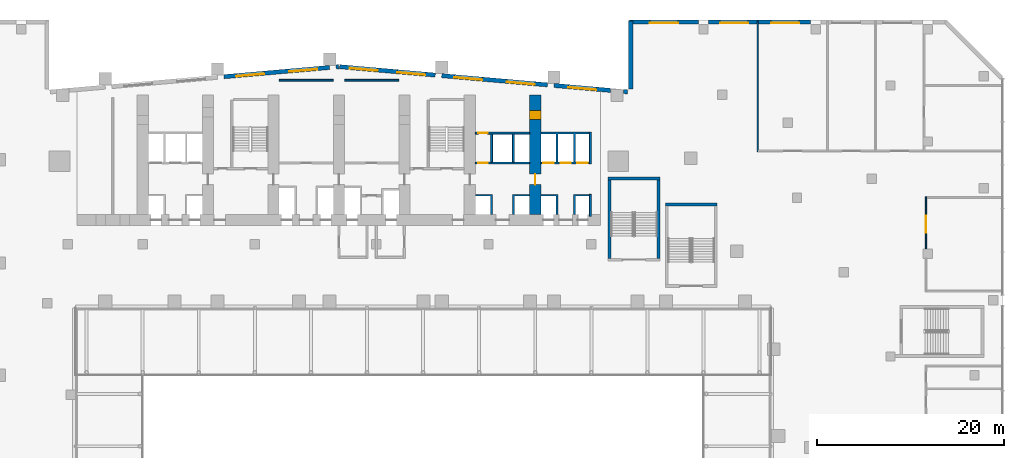
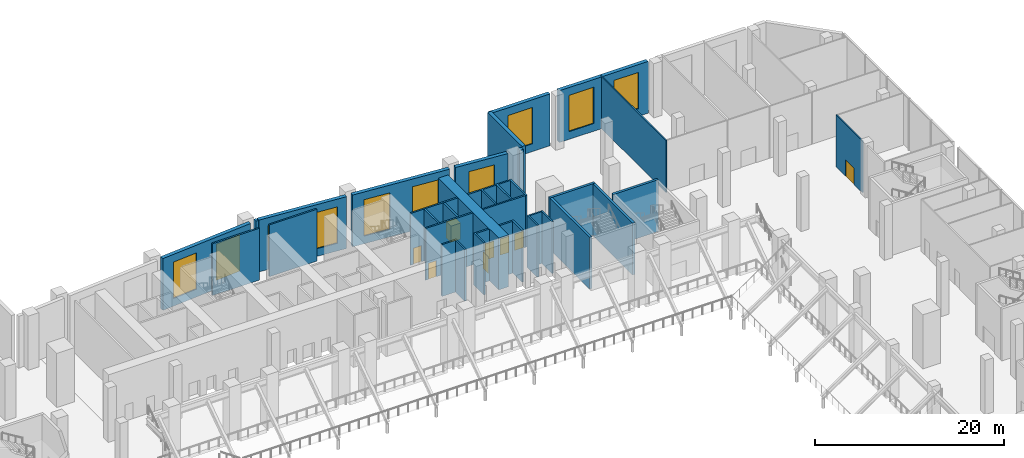
# One storey, part 26 of 41: 30 walls, 10 windows, 8 doors, 18 openings.
"""IFC4 building model written with IfcOpenShell, lengths in metres."""

from ifc_helpers import new_model, si_unit, direction, frame, frame_2d, origin, place, context, subcontext, project, spatial, polyline, rectangle, outline, extrude, material, layer, layer_set, type_object, element, fill, save


model = new_model("IFC4")

# Units and contexts
model_context = context("Model", 3, precision=1e-05, world=origin(), true_north=direction((0.0, 1.0)))
body_context = subcontext(model_context, "Body", "Model", "MODEL_VIEW")
ifc_project = project(units=[si_unit("LENGTHUNIT", "METRE"), si_unit("AREAUNIT", "SQUARE_METRE"), si_unit("VOLUMEUNIT", "CUBIC_METRE"), si_unit("PLANEANGLEUNIT", "RADIAN"), si_unit("MASSUNIT", "GRAM", prefix="KILO")], contexts=[model_context])

# Site, building, storey
site_placement = place(None, origin())
site = spatial("IfcSite", under=ifc_project, at=site_placement, CompositionType="ELEMENT")
building_placement = place(site_placement, origin())
building = spatial("IfcBuilding", under=site, at=building_placement, Name="Wharfspan Tower", CompositionType="ELEMENT")
storey_placement = place(building_placement, frame((0.0, 0.0, 8.0)))
storey = spatial("IfcBuildingStorey", under=building, at=storey_placement, Name="L01", CompositionType="ELEMENT", Elevation=8.0)

# Walls
ifc_material_1 = material(Name="Calcium silicate masonry", Category="masonry")
ifc_layer_1 = layer(ifc_material_1, 0.199951)
ifc_layer_set_1 = layer_set([ifc_layer_1], Name="Calcium silicate masonry")
wall_type_1 = type_object("IfcWallType", Name="Core room wall 200", PredefinedType="PARTITIONING", material=ifc_layer_set_1)
for number, where, z_axis, x_axis, name in (
    (1, (30.600098, 49.55249, 0.0), (0.0, 0.0, 1.0), (1.0, 0.0, 0.0), "sw:L01:RS3"),
    (2, (37.600098, 49.55249, 0.0), (0.0, 0.0, 1.0), (1.0, 0.0, 0.0), "sw:L01:RS4"),
):
    element("IfcWall", number, at=place(storey_placement, frame(where, z_axis=z_axis, x_axis=x_axis)), inside=storey, type_object=wall_type_1, Name=name, PredefinedType="PARTITIONING", context=body_context, shape_type="SweptSolid", body=[
        extrude(rectangle(XDim=5.799805, YDim=0.199951, at=frame_2d((2.899902, 0.0))), origin(), (0.0, 0.0, 1.0), 6.699951),
    ])

# Wall, openings, doors
ifc_material_2 = material(Name="Concrete C70/85", Category="concrete")
ifc_layer_2 = layer(ifc_material_2, 1.199951)
ifc_layer_set_2 = layer_set([ifc_layer_2], Name="Concrete C70/85")
wall_type_2 = type_object("IfcWallType", Name="Core wall fallback 1.2", PredefinedType="SHEAR", material=ifc_layer_set_2)
wall_1_placement = place(storey_placement, frame((58.0, 35.199951, 0.0), z_axis=(0.0, 0.0, 1.0), x_axis=(0.0, 1.0, 0.0)))
wall_1 = element("IfcWall", 3, at=wall_1_placement, inside=storey, type_object=wall_type_2, Name="cw:L01:X7", PredefinedType="SHEAR", context=body_context, shape_type="SweptSolid", body=[
    extrude(rectangle(XDim=12.800049, YDim=1.199951, at=frame_2d((6.399902, 0.0))), origin(), (0.0, 0.0, 1.0), 6.699951),
])
opening_1_placement = place(wall_1_placement, frame((10.133789, 0.0, 0.0)))
opening_1 = element("IfcOpeningElement", 4, at=opening_1_placement, cuts=wall_1, Name="Opening CD01.7X", PredefinedType="OPENING", context=body_context, shape_type="SweptSolid", body=[
    extrude(rectangle(XDim=1.0, YDim=2.100098, at=frame_2d((0.5, 1.050049))), frame((0.0, 0.609863, 0.0), z_axis=(0.0, -1.0, 0.0), x_axis=(1.0, 0.0, 0.0)), (0.0, 0.0, 1.0), 1.219971),
])
opening_2_placement = place(wall_1_placement, frame((3.199951, 0.0, 0.0)))
opening_2 = element("IfcOpeningElement", 5, at=opening_2_placement, cuts=wall_1, Name="Opening CC01.7", PredefinedType="OPENING", context=body_context, shape_type="SweptSolid", body=[
    extrude(rectangle(XDim=1.100098, YDim=2.100098, at=frame_2d((0.550049, 1.050049))), frame((0.0, 0.609863, 0.0), z_axis=(0.0, -1.0, 0.0), x_axis=(1.0, 0.0, 0.0)), (0.0, 0.0, 1.0), 1.219971),
])
ifc_material_3 = material(Name="Steel door leaf", Category="steel")
door_type_1 = type_object("IfcDoorType", Name="Core corridor door 1100x2100", OperationType="SINGLE_SWING_LEFT", PredefinedType="DOOR", material=ifc_material_3)
door_1_placement = place(opening_2_placement, origin())
door_1 = element("IfcDoor", 6, at=door_1_placement, inside=storey, type_object=door_type_1, Name="xd:L01:7", OperationType="SINGLE_SWING_LEFT", OverallHeight=2.100098, OverallWidth=1.100098, PredefinedType="DOOR", context=body_context, shape_type="SweptSolid", body=[
    extrude(rectangle(XDim=1.100098, YDim=2.100098, at=frame_2d((0.550049, 1.050049))), frame((0.0, 0.024902, 0.0), z_axis=(0.0, -1.0, 0.0), x_axis=(1.0, 0.0, 0.0)), (0.0, 0.0, 1.0), 0.050049),
])
fill(opening_2, door_1)
door_type_2 = type_object("IfcDoorType", Name="Core room door 1000x2100", OperationType="SINGLE_SWING_LEFT", PredefinedType="DOOR", material=ifc_material_3)
door_2_placement = place(opening_1_placement, origin())
door_2 = element("IfcDoor", 7, at=door_2_placement, inside=storey, type_object=door_type_2, Name="d:L01:7:sx", OperationType="SINGLE_SWING_LEFT", OverallHeight=2.100098, OverallWidth=1.0, PredefinedType="DOOR", context=body_context, shape_type="SweptSolid", body=[
    extrude(rectangle(XDim=1.0, YDim=2.100098, at=frame_2d((0.5, 1.050049))), frame((0.0, 0.599609, 0.0), z_axis=(0.0, -1.0, 0.0), x_axis=(1.0, 0.0, 0.0)), (0.0, 0.0, 1.0), 1.199463),
])
fill(opening_1, door_2)

# Wall, opening, door
ifc_material_4 = material(Name="Concrete C30/37", Category="concrete")
ifc_layer_3 = layer(ifc_material_4, 0.199951)
ifc_layer_set_3 = layer_set([ifc_layer_3], Name="Concrete C30/37")
wall_type_3 = type_object("IfcWallType", Name="Lift shaft wall 200", PredefinedType="PARTITIONING", material=ifc_layer_set_3)
wall_2_placement = place(storey_placement, frame((51.600098, 40.699951, 0.0), z_axis=(0.0, 0.0, 1.0), x_axis=(1.0, 0.0, 0.0)))
wall_2 = element("IfcWall", 8, at=wall_2_placement, inside=storey, type_object=wall_type_3, Name="sw:L01:RF6", PredefinedType="PARTITIONING", context=body_context, shape_type="SweptSolid", body=[
    extrude(rectangle(XDim=5.799805, YDim=0.199951, at=frame_2d((2.899902, 0.0))), origin(), (0.0, 0.0, 1.0), 6.699951),
])
opening_3_placement = place(wall_2_placement, frame((0.31665, 0.0, 0.0)))
opening_3 = element("IfcOpeningElement", 9, at=opening_3_placement, cuts=wall_2, Name="Opening CD01.6R1", PredefinedType="OPENING", context=body_context, shape_type="SweptSolid", body=[
    extrude(rectangle(XDim=1.0, YDim=2.100098, at=frame_2d((0.5, 1.050049))), frame((0.0, 0.109863, 0.0), z_axis=(0.0, -1.0, 0.0), x_axis=(1.0, 0.0, 0.0)), (0.0, 0.0, 1.0), 0.219971),
])
door_3_placement = place(opening_3_placement, origin())
door_3 = element("IfcDoor", 10, at=door_3_placement, inside=storey, type_object=door_type_2, Name="d:L01:6:rd6.1", OperationType="SINGLE_SWING_RIGHT", OverallHeight=2.100098, OverallWidth=1.0, PredefinedType="DOOR", context=body_context, shape_type="SweptSolid", body=[
    extrude(rectangle(XDim=1.0, YDim=2.100098, at=frame_2d((0.5, 1.050049))), frame((0.0, 0.024902, 0.0), z_axis=(0.0, -1.0, 0.0), x_axis=(1.0, 0.0, 0.0)), (0.0, 0.0, 1.0), 0.050049),
])
fill(opening_3, door_3)

wall_3_placement = place(storey_placement, frame((51.600098, 43.899902, 0.0), z_axis=(0.0, 0.0, 1.0), x_axis=(1.0, 0.0, 0.0)))
wall_3 = element("IfcWall", 11, at=wall_3_placement, inside=storey, type_object=wall_type_3, Name="sw:L01:RR6", PredefinedType="PARTITIONING", context=body_context, shape_type="SweptSolid", body=[
    extrude(rectangle(XDim=5.799805, YDim=0.199951, at=frame_2d((2.899902, 0.0))), origin(), (0.0, 0.0, 1.0), 6.699951),
])
opening_4_placement = place(wall_3_placement, frame((0.31665, 0.0, 0.0)))
opening_4 = element("IfcOpeningElement", 12, at=opening_4_placement, cuts=wall_3, Name="Opening CD01.6S1", PredefinedType="OPENING", context=body_context, shape_type="SweptSolid", body=[
    extrude(rectangle(XDim=1.0, YDim=2.100098, at=frame_2d((0.5, 1.050049))), frame((0.0, 0.109863, 0.0), z_axis=(0.0, -1.0, 0.0), x_axis=(1.0, 0.0, 0.0)), (0.0, 0.0, 1.0), 0.219971),
])
door_4_placement = place(opening_4_placement, origin())
door_4 = element("IfcDoor", 13, at=door_4_placement, inside=storey, type_object=door_type_2, Name="d:L01:6:rs6.1", OperationType="SINGLE_SWING_LEFT", OverallHeight=2.100098, OverallWidth=1.0, PredefinedType="DOOR", context=body_context, shape_type="SweptSolid", body=[
    extrude(rectangle(XDim=1.0, YDim=2.100098, at=frame_2d((0.5, 1.050049))), frame((0.0, 0.024902, 0.0), z_axis=(0.0, -1.0, 0.0), x_axis=(1.0, 0.0, 0.0)), (0.0, 0.0, 1.0), 0.050049),
])
fill(opening_4, door_4)

# Walls
wall_4_placement = place(storey_placement, frame((0.0, 0.0, -0.000244)))
element("IfcWall", 14, at=wall_4_placement, inside=storey, type_object=wall_type_3, Name="sw:L01:FM6.0", PredefinedType="PARTITIONING", context=body_context, shape_type="SweptSolid", body=[
    extrude(outline(polyline([(53.233398, 37.149902), (51.600098, 37.149902), (51.600098, 37.350098), (53.233398, 37.350098), (53.43335, 37.350098), (53.43335, 35.199951), (53.233398, 35.199951), (53.233398, 37.149902)])), origin(), (0.0, 0.0, 1.0), 6.700195),
])
wall_5_placement = place(storey_placement, frame((0.0, 0.0, -0.000244)))
element("IfcWall", 15, at=wall_5_placement, inside=storey, type_object=wall_type_3, Name="sw:L01:FM6.1", PredefinedType="PARTITIONING", context=body_context, shape_type="SweptSolid", body=[
    extrude(outline(polyline([(55.56665, 37.350098), (55.766602, 37.350098), (57.399902, 37.350098), (57.399902, 37.149902), (55.766602, 37.149902), (55.766602, 35.199951), (55.56665, 35.199951), (55.56665, 37.350098)])), origin(), (0.0, 0.0, 1.0), 6.700195),
])
wall_6_placement = place(storey_placement, frame((0.0, 0.0, -0.000244)))
element("IfcWall", 16, at=wall_6_placement, inside=storey, type_object=wall_type_3, Name="sw:L01:RM6.0", PredefinedType="PARTITIONING", context=body_context, shape_type="SweptSolid", body=[
    extrude(outline(polyline([(53.233398, 40.800049), (53.233398, 43.800049), (53.43335, 43.800049), (53.43335, 40.800049), (53.233398, 40.800049)])), origin(), (0.0, 0.0, 1.0), 6.700195),
])
wall_7_placement = place(storey_placement, frame((0.0, 0.0, -0.000244)))
element("IfcWall", 17, at=wall_7_placement, inside=storey, type_object=wall_type_3, Name="sw:L01:RM6.1", PredefinedType="PARTITIONING", context=body_context, shape_type="SweptSolid", body=[
    extrude(outline(polyline([(55.56665, 40.800049), (55.56665, 43.800049), (55.766602, 43.800049), (55.766602, 40.800049), (55.56665, 40.800049)])), origin(), (0.0, 0.0, 1.0), 6.700195),
])

# Wall, openings, doors
wall_8_placement = place(storey_placement, frame((58.600098, 40.699951, 0.0), z_axis=(0.0, 0.0, 1.0), x_axis=(1.0, 0.0, 0.0)))
wall_8 = element("IfcWall", 18, at=wall_8_placement, inside=storey, type_object=wall_type_3, Name="sw:L01:RF7", PredefinedType="PARTITIONING", context=body_context, shape_type="SweptSolid", body=[
    extrude(rectangle(XDim=5.199951, YDim=0.199951, at=frame_2d((2.600098, 0.0))), origin(), (0.0, 0.0, 1.0), 6.699951),
])
opening_5_placement = place(wall_8_placement, frame((0.266602, 0.0, 0.0)))
opening_5 = element("IfcOpeningElement", 19, at=opening_5_placement, cuts=wall_8, Name="Opening LD.LA8.L01", PredefinedType="OPENING", context=body_context, shape_type="SweptSolid", body=[
    extrude(rectangle(XDim=1.100098, YDim=2.100098, at=frame_2d((0.550049, 1.050049))), frame((0.0, 0.109863, 0.0), z_axis=(0.0, -1.0, 0.0), x_axis=(1.0, 0.0, 0.0)), (0.0, 0.0, 1.0), 0.219971),
])
opening_6_placement = place(wall_8_placement, frame((2.116699, 0.0, 0.0)))
opening_6 = element("IfcOpeningElement", 20, at=opening_6_placement, cuts=wall_8, Name="Opening LD.LA9.L01", PredefinedType="OPENING", context=body_context, shape_type="SweptSolid", body=[
    extrude(rectangle(XDim=1.100098, YDim=2.100098, at=frame_2d((0.550049, 1.050049))), frame((0.0, 0.109863, 0.0), z_axis=(0.0, -1.0, 0.0), x_axis=(1.0, 0.0, 0.0)), (0.0, 0.0, 1.0), 0.219971),
])
opening_7_placement = place(wall_8_placement, frame((3.899902, 0.0, 0.0)))
opening_7 = element("IfcOpeningElement", 21, at=opening_7_placement, cuts=wall_8, Name="Opening LD.LA10.L01", PredefinedType="OPENING", context=body_context, shape_type="SweptSolid", body=[
    extrude(rectangle(XDim=1.100098, YDim=2.100098, at=frame_2d((0.550049, 1.050049))), frame((0.0, 0.109863, 0.0), z_axis=(0.0, -1.0, 0.0), x_axis=(1.0, 0.0, 0.0)), (0.0, 0.0, 1.0), 0.219971),
])
ifc_material_5 = material(Name="Stainless steel", Category="steel")
door_type_3 = type_object("IfcDoorType", Name="Lift landing door 1100x2100", OperationType="DOUBLE_DOOR_SLIDING", PredefinedType="DOOR", material=ifc_material_5)
door_5_placement = place(opening_5_placement, origin())
door_5 = element("IfcDoor", 22, at=door_5_placement, inside=storey, type_object=door_type_3, Name="Landing door LA8 L01", OperationType="DOUBLE_DOOR_SLIDING", OverallHeight=2.100098, OverallWidth=1.100098, PredefinedType="DOOR", context=body_context, shape_type="SweptSolid", body=[
    extrude(rectangle(XDim=1.100098, YDim=2.100098, at=frame_2d((0.550049, 1.050049))), frame((0.0, 0.024902, 0.0), z_axis=(0.0, -1.0, 0.0), x_axis=(1.0, 0.0, 0.0)), (0.0, 0.0, 1.0), 0.050049),
])
fill(opening_5, door_5)
door_6_placement = place(opening_6_placement, origin())
door_6 = element("IfcDoor", 23, at=door_6_placement, inside=storey, type_object=door_type_3, Name="Landing door LA9 L01", OperationType="DOUBLE_DOOR_SLIDING", OverallHeight=2.100098, OverallWidth=1.100098, PredefinedType="DOOR", context=body_context, shape_type="SweptSolid", body=[
    extrude(rectangle(XDim=1.100098, YDim=2.100098, at=frame_2d((0.550049, 1.050049))), frame((0.0, 0.024902, 0.0), z_axis=(0.0, -1.0, 0.0), x_axis=(1.0, 0.0, 0.0)), (0.0, 0.0, 1.0), 0.050049),
])
fill(opening_6, door_6)
door_7_placement = place(opening_7_placement, origin())
door_7 = element("IfcDoor", 24, at=door_7_placement, inside=storey, type_object=door_type_3, Name="Landing door LA10 L01", OperationType="DOUBLE_DOOR_SLIDING", OverallHeight=2.100098, OverallWidth=1.100098, PredefinedType="DOOR", context=body_context, shape_type="SweptSolid", body=[
    extrude(rectangle(XDim=1.100098, YDim=2.100098, at=frame_2d((0.550049, 1.050049))), frame((0.0, 0.024902, 0.0), z_axis=(0.0, -1.0, 0.0), x_axis=(1.0, 0.0, 0.0)), (0.0, 0.0, 1.0), 0.050049),
])
fill(opening_7, door_7)

# Walls
wall_9_placement = place(storey_placement, frame((0.0, 0.0, -0.000244)))
element("IfcWall", 25, at=wall_9_placement, inside=storey, type_object=wall_type_3, Name="sw:L01:FM7.0", PredefinedType="PARTITIONING", context=body_context, shape_type="SweptSolid", body=[
    extrude(outline(polyline([(60.233398, 37.149902), (58.600098, 37.149902), (58.600098, 37.350098), (60.233398, 37.350098), (60.43335, 37.350098), (60.43335, 35.199951), (60.233398, 35.199951), (60.233398, 37.149902)])), origin(), (0.0, 0.0, 1.0), 6.700195),
])
wall_10_placement = place(storey_placement, frame((0.0, 0.0, -0.000244)))
element("IfcWall", 26, at=wall_10_placement, inside=storey, type_object=wall_type_3, Name="sw:L01:FM7.1", PredefinedType="PARTITIONING", context=body_context, shape_type="SweptSolid", body=[
    extrude(outline(polyline([(62.100098, 37.350098), (62.300049, 37.350098), (63.800049, 37.350098), (63.800049, 37.149902), (62.300049, 37.149902), (62.300049, 35.199951), (62.100098, 35.199951), (62.100098, 37.350098)])), origin(), (0.0, 0.0, 1.0), 6.700195),
])
wall_11_placement = place(storey_placement, frame((0.0, 0.0, -0.000244)))
element("IfcWall", 27, at=wall_11_placement, inside=storey, type_object=wall_type_3, Name="sw:L01:RM7.0", PredefinedType="PARTITIONING", context=body_context, shape_type="SweptSolid", body=[
    extrude(outline(polyline([(60.43335, 40.800049), (60.233398, 40.800049), (60.233398, 43.800049), (58.600098, 43.800049), (58.600098, 44.0), (63.800049, 44.0), (63.800049, 43.800049), (62.300049, 43.800049), (62.300049, 40.800049), (62.100098, 40.800049), (62.100098, 43.800049), (60.43335, 43.800049), (60.43335, 40.800049)])), origin(), (0.0, 0.0, 1.0), 6.700195),
])
wall_12_placement = place(storey_placement, frame((63.899902, 35.0, 0.0), z_axis=(0.0, 0.0, 1.0), x_axis=(0.0, 1.0, 0.0)))
element("IfcWall", 28, at=wall_12_placement, inside=storey, type_object=wall_type_3, Name="sw:L01:ECF7", PredefinedType="PARTITIONING", context=body_context, shape_type="SweptSolid", body=[
    extrude(rectangle(XDim=2.350098, YDim=0.199951, at=frame_2d((1.175049, 0.0))), origin(), (0.0, 0.0, 1.0), 6.699951),
])
wall_13_placement = place(storey_placement, frame((63.899902, 40.600098, 0.0), z_axis=(0.0, 0.0, 1.0), x_axis=(0.0, 1.0, 0.0)))
element("IfcWall", 29, at=wall_13_placement, inside=storey, type_object=wall_type_3, Name="sw:L01:ECR7", PredefinedType="PARTITIONING", context=body_context, shape_type="SweptSolid", body=[
    extrude(rectangle(XDim=3.399902, YDim=0.199951, at=frame_2d((1.699951, 0.0))), origin(), (0.0, 0.0, 1.0), 6.699951),
])

# Wall, opening, door
ifc_layer_4 = layer(ifc_material_1, 0.149902)
ifc_layer_set_4 = layer_set([ifc_layer_4], Name="Calcium silicate masonry")
wall_type_4 = type_object("IfcWallType", Name="Podium room wall 150", PredefinedType="PARTITIONING", material=ifc_layer_set_4)
wall_14_placement = place(storey_placement, frame((99.800049, 31.51001, 0.0), z_axis=(0.0, 0.0, 1.0), x_axis=(0.0, 1.0, 0.0)))
wall_14 = element("IfcWall", 30, at=wall_14_placement, inside=storey, type_object=wall_type_4, Name="iw:L01:22", PredefinedType="PARTITIONING", context=body_context, shape_type="SweptSolid", body=[
    extrude(rectangle(XDim=5.564941, YDim=0.149902, at=frame_2d((2.782471, 0.0))), origin(), (0.0, 0.0, 1.0), 6.699951),
])
opening_8_placement = place(wall_14_placement, frame((1.745117, 0.0, 0.0)))
opening_8 = element("IfcOpeningElement", 31, at=opening_8_placement, cuts=wall_14, Name="Opening PD01.19", PredefinedType="OPENING", context=body_context, shape_type="SweptSolid", body=[
    extrude(rectangle(XDim=1.800049, YDim=2.100098, at=frame_2d((0.899902, 1.050049))), frame((0.0, 0.084961, 0.0), z_axis=(0.0, -1.0, 0.0), x_axis=(1.0, 0.0, 0.0)), (0.0, 0.0, 1.0), 0.169922),
])
door_type_4 = type_object("IfcDoorType", Name="Podium double door 1800x2100", OperationType="DOUBLE_DOOR_SINGLE_SWING", PredefinedType="DOOR", material=ifc_material_3)
door_8_placement = place(opening_8_placement, origin())
door_8 = element("IfcDoor", 32, at=door_8_placement, inside=storey, type_object=door_type_4, Name="id:L01:19", OperationType="DOUBLE_DOOR_SINGLE_SWING", OverallHeight=2.100098, OverallWidth=1.800049, PredefinedType="DOOR", context=body_context, shape_type="SweptSolid", body=[
    extrude(rectangle(XDim=1.800049, YDim=2.100098, at=frame_2d((0.899902, 1.050049))), frame((0.0, 0.024902, 0.0), z_axis=(0.0, -1.0, 0.0), x_axis=(1.0, 0.0, 0.0)), (0.0, 0.0, 1.0), 0.050049),
])
fill(opening_8, door_8)

# Walls
wall_15_placement = place(storey_placement, frame((81.800049, 41.925049, 0.0), z_axis=(0.0, 0.0, 1.0), x_axis=(0.0, 1.0, 0.0)))
element("IfcWall", 33, at=wall_15_placement, inside=storey, type_object=wall_type_4, Name="iw:L01:48", PredefinedType="PARTITIONING", context=body_context, shape_type="SweptSolid", body=[
    extrude(rectangle(XDim=13.925049, YDim=0.149902, at=frame_2d((6.962402, 0.0))), origin(), (0.0, 0.0, 1.0), 6.699951),
])
ifc_material_6 = material(Name="Concrete C40/50", Category="concrete")
ifc_layer_5 = layer(ifc_material_6, 0.300049)
ifc_layer_set_5 = layer_set([ifc_layer_5], Name="Concrete C40/50")
wall_type_5 = type_object("IfcWallType", Name="Podium stair core wall 300", PredefinedType="SHEAR", material=ifc_layer_set_5)
wall_16_placement = place(storey_placement, frame((65.800049, 39.050049, 0.0), z_axis=(0.0, 0.0, 1.0), x_axis=(1.0, 0.0, 0.0)))
element("IfcWall", 34, at=wall_16_placement, inside=storey, type_object=wall_type_5, Name="iw:L01:PS4N", PredefinedType="SHEAR", context=body_context, shape_type="SweptSolid", body=[
    extrude(rectangle(XDim=5.550049, YDim=0.300049, at=frame_2d((2.774902, 0.0))), origin(), (0.0, 0.0, 1.0), 6.699951),
])
for number, where, z_axis, x_axis, name in (
    (35, (65.949951, 30.5, 0.0), (0.0, 0.0, 1.0), (0.0, 1.0, 0.0), "iw:L01:PS4W"),
    (36, (71.199951, 30.5, 0.0), (0.0, 0.0, 1.0), (0.0, 1.0, 0.0), "iw:L01:PS4E"),
):
    element("IfcWall", number, at=place(storey_placement, frame(where, z_axis=z_axis, x_axis=x_axis)), inside=storey, type_object=wall_type_5, Name=name, PredefinedType="SHEAR", context=body_context, shape_type="SweptSolid", body=[
        extrude(rectangle(XDim=8.399902, YDim=0.300049, at=frame_2d((4.199951, 0.0))), origin(), (0.0, 0.0, 1.0), 6.699951),
    ])
wall_17_placement = place(storey_placement, frame((71.91748, 36.25, 0.0), z_axis=(0.0, 0.0, 1.0), x_axis=(1.0, 0.0, 0.0)))
element("IfcWall", 37, at=wall_17_placement, inside=storey, type_object=wall_type_5, Name="iw:L01:PS5N", PredefinedType="SHEAR", context=body_context, shape_type="SweptSolid", body=[
    extrude(rectangle(XDim=5.550049, YDim=0.300049, at=frame_2d((2.774902, 0.0))), origin(), (0.0, 0.0, 1.0), 6.699951),
])

# Wall, openings, windows
ifc_layer_6 = layer(ifc_material_6, 0.449951)
ifc_layer_set_6 = layer_set([ifc_layer_6], Name="Concrete C40/50")
wall_type_6 = type_object("IfcWallType", Name="WALL BOARD-MARKED CONCRETE 450", PredefinedType="SOLIDWALL", material=ifc_layer_set_6)
wall_18_placement = place(storey_placement, frame((87.449951, 55.774902, 0.0), z_axis=(0.0, 0.0, 1.0), x_axis=(-1.0, 0.0, 0.0)))
wall_18 = element("IfcWall", 38, at=wall_18_placement, inside=storey, type_object=wall_type_6, Name="Podium wall PF5", PredefinedType="SOLIDWALL", context=body_context, shape_type="SweptSolid", body=[
    extrude(rectangle(XDim=10.899902, YDim=0.449951, at=frame_2d((5.449951, 0.0))), origin(), (0.0, 0.0, 1.0), 6.699951),
])
opening_9_placement = place(wall_18_placement, frame((1.225098, 0.0, 1.0)))
opening_9 = element("IfcOpeningElement", 39, at=opening_9_placement, cuts=wall_18, Name="Opening EWN1", PredefinedType="OPENING", context=body_context, shape_type="SweptSolid", body=[
    extrude(rectangle(XDim=3.0, YDim=4.699951, at=frame_2d((1.5, 2.350098))), frame((0.0, 0.234863, 0.0), z_axis=(0.0, -1.0, 0.0), x_axis=(1.0, 0.0, 0.0)), (0.0, 0.0, 1.0), 0.469971),
])
opening_10_placement = place(wall_18_placement, frame((6.675049, 0.0, 1.0)))
opening_10 = element("IfcOpeningElement", 40, at=opening_10_placement, cuts=wall_18, Name="Opening EWN1", PredefinedType="OPENING", context=body_context, shape_type="SweptSolid", body=[
    extrude(rectangle(XDim=3.0, YDim=4.699951, at=frame_2d((1.5, 2.350098))), frame((0.0, 0.234863, 0.0), z_axis=(0.0, -1.0, 0.0), x_axis=(1.0, 0.0, 0.0)), (0.0, 0.0, 1.0), 0.469971),
])
ifc_material_7 = material(Name="Aluminium 6063-T6", Category="aluminium")
window_type = type_object("IfcWindowType", Name="WINDOW 3000x4700", PartitioningType="SINGLE_PANEL", PredefinedType="WINDOW", material=ifc_material_7)
window_1_placement = place(opening_9_placement, origin())
window_1 = element("IfcWindow", 41, at=window_1_placement, inside=storey, type_object=window_type, Name="Podium window", OverallHeight=4.699951, OverallWidth=3.0, PartitioningType="SINGLE_PANEL", PredefinedType="WINDOW", context=body_context, shape_type="SweptSolid", body=[
    extrude(rectangle(XDim=3.0, YDim=4.699951, at=frame_2d((1.5, 2.350098))), frame((0.0, 0.10498, 0.0), z_axis=(0.0, -1.0, 0.0), x_axis=(1.0, 0.0, 0.0)), (0.0, 0.0, 1.0), 0.060059),
])
fill(opening_9, window_1)
window_2_placement = place(opening_10_placement, origin())
window_2 = element("IfcWindow", 42, at=window_2_placement, inside=storey, type_object=window_type, Name="Podium window", OverallHeight=4.699951, OverallWidth=3.0, PartitioningType="SINGLE_PANEL", PredefinedType="WINDOW", context=body_context, shape_type="SweptSolid", body=[
    extrude(rectangle(XDim=3.0, YDim=4.699951, at=frame_2d((1.5, 2.350098))), frame((0.0, 0.10498, 0.0), z_axis=(0.0, -1.0, 0.0), x_axis=(1.0, 0.0, 0.0)), (0.0, 0.0, 1.0), 0.060059),
])
fill(opening_10, window_2)

# Wall, opening, window
wall_19_placement = place(storey_placement, frame((75.449951, 55.774902, 0.0), z_axis=(0.0, 0.0, 1.0), x_axis=(-1.0, 0.0, 0.0)))
wall_19 = element("IfcWall", 43, at=wall_19_placement, inside=storey, type_object=wall_type_6, Name="Podium wall PF5", PredefinedType="SOLIDWALL", context=body_context, shape_type="SweptSolid", body=[
    extrude(rectangle(XDim=7.349854, YDim=0.449951, at=frame_2d((3.674805, 0.0))), origin(), (0.0, 0.0, 1.0), 6.699951),
])
opening_11_placement = place(wall_19_placement, frame((2.175049, 0.0, 1.0)))
opening_11 = element("IfcOpeningElement", 44, at=opening_11_placement, cuts=wall_19, Name="Opening EWN1", PredefinedType="OPENING", context=body_context, shape_type="SweptSolid", body=[
    extrude(rectangle(XDim=3.0, YDim=4.699951, at=frame_2d((1.5, 2.350098))), frame((0.0, 0.234863, 0.0), z_axis=(0.0, -1.0, 0.0), x_axis=(1.0, 0.0, 0.0)), (0.0, 0.0, 1.0), 0.469971),
])
window_3_placement = place(opening_11_placement, origin())
window_3 = element("IfcWindow", 45, at=window_3_placement, inside=storey, type_object=window_type, Name="Podium window", OverallHeight=4.699951, OverallWidth=3.0, PartitioningType="SINGLE_PANEL", PredefinedType="WINDOW", context=body_context, shape_type="SweptSolid", body=[
    extrude(rectangle(XDim=3.0, YDim=4.699951, at=frame_2d((1.5, 2.350098))), frame((0.0, 0.10498, 0.0), z_axis=(0.0, -1.0, 0.0), x_axis=(1.0, 0.0, 0.0)), (0.0, 0.0, 1.0), 0.060059),
])
fill(opening_11, window_3)

# Wall
wall_20_placement = place(storey_placement, frame((68.225098, 55.899902, 0.0), z_axis=(0.0, 0.0, 1.0), x_axis=(0.0, -1.0, 0.0)))
element("IfcWall", 46, at=wall_20_placement, inside=storey, type_object=wall_type_6, Name="Podium wall PF6", PredefinedType="SOLIDWALL", context=body_context, shape_type="SweptSolid", body=[
    extrude(rectangle(XDim=7.274658, YDim=0.449951, at=frame_2d((3.637207, 0.0))), origin(), (0.0, 0.0, 1.0), 6.699951),
])

# Wall, opening, window
wall_21_placement = place(storey_placement, frame((66.05835, 48.468994, 0.0), z_axis=(0.0, 0.0, 1.0), x_axis=(-0.996195, 0.087158, 0.0)))
wall_21 = element("IfcWall", 47, at=wall_21_placement, inside=storey, type_object=wall_type_6, Name="Podium wall PF7", PredefinedType="SOLIDWALL", context=body_context, shape_type="SweptSolid", body=[
    extrude(rectangle(XDim=6.081299, YDim=0.449951, at=frame_2d((3.040527, 0.0))), origin(), (0.0, 0.0, 1.0), 6.699951),
])
opening_12_placement = place(wall_21_placement, frame((1.540527, 0.0, 1.0)))
opening_12 = element("IfcOpeningElement", 48, at=opening_12_placement, cuts=wall_21, Name="Opening EWN1", PredefinedType="OPENING", context=body_context, shape_type="SweptSolid", body=[
    extrude(rectangle(XDim=3.0, YDim=4.699951, at=frame_2d((1.5, 2.350098))), frame((0.0, 0.234863, 0.0), z_axis=(0.0, -1.0, 0.0), x_axis=(1.0, 0.0, 0.0)), (0.0, 0.0, 1.0), 0.469971),
])
window_4_placement = place(opening_12_placement, origin())
window_4 = element("IfcWindow", 49, at=window_4_placement, inside=storey, type_object=window_type, Name="Podium window", OverallHeight=4.699951, OverallWidth=3.0, PartitioningType="SINGLE_PANEL", PredefinedType="WINDOW", context=body_context, shape_type="SweptSolid", body=[
    extrude(rectangle(XDim=3.0, YDim=4.699951, at=frame_2d((1.5, 2.350098))), frame((0.0, 0.10498, 0.0), z_axis=(0.0, -1.0, 0.0), x_axis=(1.0, 0.0, 0.0)), (0.0, 0.0, 1.0), 0.060059),
])
fill(opening_12, window_4)

# Wall, openings, windows
wall_22_placement = place(storey_placement, frame((59.300537, 49.060303, 0.0), z_axis=(0.0, 0.0, 1.0), x_axis=(-0.996195, 0.087145, 0.0)))
wall_22 = element("IfcWall", 50, at=wall_22_placement, inside=storey, type_object=wall_type_6, Name="Podium wall PF7", PredefinedType="SOLIDWALL", context=body_context, shape_type="SweptSolid", body=[
    extrude(rectangle(XDim=11.343506, YDim=0.449951, at=frame_2d((5.671875, 0.0))), origin(), (0.0, 0.0, 1.0), 6.699951),
])
opening_13_placement = place(wall_22_placement, frame((1.335938, 0.0, 1.0)))
opening_13 = element("IfcOpeningElement", 51, at=opening_13_placement, cuts=wall_22, Name="Opening EWN1", PredefinedType="OPENING", context=body_context, shape_type="SweptSolid", body=[
    extrude(rectangle(XDim=3.0, YDim=4.699951, at=frame_2d((1.5, 2.350098))), frame((0.0, 0.234863, 0.0), z_axis=(0.0, -1.0, 0.0), x_axis=(1.0, 0.0, 0.0)), (0.0, 0.0, 1.0), 0.469971),
])
opening_14_placement = place(wall_22_placement, frame((7.007568, 0.0, 1.0)))
opening_14 = element("IfcOpeningElement", 52, at=opening_14_placement, cuts=wall_22, Name="Opening EWN1", PredefinedType="OPENING", context=body_context, shape_type="SweptSolid", body=[
    extrude(rectangle(XDim=3.0, YDim=4.699951, at=frame_2d((1.5, 2.350098))), frame((0.0, 0.234863, 0.0), z_axis=(0.0, -1.0, 0.0), x_axis=(1.0, 0.0, 0.0)), (0.0, 0.0, 1.0), 0.469971),
])
window_5_placement = place(opening_13_placement, origin())
window_5 = element("IfcWindow", 53, at=window_5_placement, inside=storey, type_object=window_type, Name="Podium window", OverallHeight=4.699951, OverallWidth=3.0, PartitioningType="SINGLE_PANEL", PredefinedType="WINDOW", context=body_context, shape_type="SweptSolid", body=[
    extrude(rectangle(XDim=3.0, YDim=4.699951, at=frame_2d((1.5, 2.350098))), frame((0.0, 0.10498, 0.0), z_axis=(0.0, -1.0, 0.0), x_axis=(1.0, 0.0, 0.0)), (0.0, 0.0, 1.0), 0.060059),
])
fill(opening_13, window_5)
window_6_placement = place(opening_14_placement, origin())
window_6 = element("IfcWindow", 54, at=window_6_placement, inside=storey, type_object=window_type, Name="Podium window", OverallHeight=4.699951, OverallWidth=3.0, PartitioningType="SINGLE_PANEL", PredefinedType="WINDOW", context=body_context, shape_type="SweptSolid", body=[
    extrude(rectangle(XDim=3.0, YDim=4.699951, at=frame_2d((1.5, 2.350098))), frame((0.0, 0.10498, 0.0), z_axis=(0.0, -1.0, 0.0), x_axis=(1.0, 0.0, 0.0)), (0.0, 0.0, 1.0), 0.060059),
])
fill(opening_14, window_6)

wall_23_placement = place(storey_placement, frame((47.300537, 50.110107, 0.0), z_axis=(0.0, 0.0, 1.0), x_axis=(-0.996195, 0.087143, 0.0)))
wall_23 = element("IfcWall", 55, at=wall_23_placement, inside=storey, type_object=wall_type_6, Name="Podium wall PF7", PredefinedType="SOLIDWALL", context=body_context, shape_type="SweptSolid", body=[
    extrude(rectangle(XDim=10.259521, YDim=0.449951, at=frame_2d((5.129883, 0.0))), origin(), (0.0, 0.0, 1.0), 6.699951),
])
opening_15_placement = place(wall_23_placement, frame((1.064941, 0.0, 1.0)))
opening_15 = element("IfcOpeningElement", 56, at=opening_15_placement, cuts=wall_23, Name="Opening EWN1", PredefinedType="OPENING", context=body_context, shape_type="SweptSolid", body=[
    extrude(rectangle(XDim=3.0, YDim=4.699951, at=frame_2d((1.5, 2.350098))), frame((0.0, 0.234863, 0.0), z_axis=(0.0, -1.0, 0.0), x_axis=(1.0, 0.0, 0.0)), (0.0, 0.0, 1.0), 0.469971),
])
opening_16_placement = place(wall_23_placement, frame((6.19458, 0.0, 1.0)))
opening_16 = element("IfcOpeningElement", 57, at=opening_16_placement, cuts=wall_23, Name="Opening EWN1", PredefinedType="OPENING", context=body_context, shape_type="SweptSolid", body=[
    extrude(rectangle(XDim=3.0, YDim=4.699951, at=frame_2d((1.5, 2.350098))), frame((0.0, 0.234863, 0.0), z_axis=(0.0, -1.0, 0.0), x_axis=(1.0, 0.0, 0.0)), (0.0, 0.0, 1.0), 0.469971),
])
window_7_placement = place(opening_15_placement, origin())
window_7 = element("IfcWindow", 58, at=window_7_placement, inside=storey, type_object=window_type, Name="Podium window", OverallHeight=4.699951, OverallWidth=3.0, PartitioningType="SINGLE_PANEL", PredefinedType="WINDOW", context=body_context, shape_type="SweptSolid", body=[
    extrude(rectangle(XDim=3.0, YDim=4.699951, at=frame_2d((1.5, 2.350098))), frame((0.0, 0.10498, 0.0), z_axis=(0.0, -1.0, 0.0), x_axis=(1.0, 0.0, 0.0)), (0.0, 0.0, 1.0), 0.060059),
])
fill(opening_15, window_7)
window_8_placement = place(opening_16_placement, origin())
window_8 = element("IfcWindow", 59, at=window_8_placement, inside=storey, type_object=window_type, Name="Podium window", OverallHeight=4.699951, OverallWidth=3.0, PartitioningType="SINGLE_PANEL", PredefinedType="WINDOW", context=body_context, shape_type="SweptSolid", body=[
    extrude(rectangle(XDim=3.0, YDim=4.699951, at=frame_2d((1.5, 2.350098))), frame((0.0, 0.10498, 0.0), z_axis=(0.0, -1.0, 0.0), x_axis=(1.0, 0.0, 0.0)), (0.0, 0.0, 1.0), 0.060059),
])
fill(opening_16, window_8)

# Wall
wall_24_placement = place(storey_placement, frame((67.880859, 48.30957, 0.0), z_axis=(0.0, 0.0, 1.0), x_axis=(-0.99621, 0.086944, 0.0)))
element("IfcWall", 60, at=wall_24_placement, inside=storey, type_object=wall_type_6, Name="Podium wall PF7", PredefinedType="SOLIDWALL", context=body_context, shape_type="SweptSolid", body=[
    extrude(rectangle(XDim=0.435303, YDim=0.449951, at=frame_2d((0.217773, 0.0))), origin(), (0.0, 0.0, 1.0), 6.699951),
])

# Wall, openings, windows
wall_25_placement = place(storey_placement, frame((35.999756, 50.923584, 0.0), z_axis=(0.0, 0.0, 1.0), x_axis=(-0.996195, -0.087145, 0.0)))
wall_25 = element("IfcWall", 61, at=wall_25_placement, inside=storey, type_object=wall_type_6, Name="Podium wall PF8", PredefinedType="SOLIDWALL", context=body_context, shape_type="SweptSolid", body=[
    extrude(rectangle(XDim=11.343506, YDim=0.449951, at=frame_2d((5.671875, 0.0))), origin(), (0.0, 0.0, 1.0), 6.699951),
])
opening_17_placement = place(wall_25_placement, frame((1.335938, 0.0, 1.0)))
opening_17 = element("IfcOpeningElement", 62, at=opening_17_placement, cuts=wall_25, Name="Opening EWN1", PredefinedType="OPENING", context=body_context, shape_type="SweptSolid", body=[
    extrude(rectangle(XDim=3.0, YDim=4.699951, at=frame_2d((1.5, 2.350098))), frame((0.0, 0.234863, 0.0), z_axis=(0.0, -1.0, 0.0), x_axis=(1.0, 0.0, 0.0)), (0.0, 0.0, 1.0), 0.469971),
])
opening_18_placement = place(wall_25_placement, frame((7.007568, 0.0, 1.0)))
opening_18 = element("IfcOpeningElement", 63, at=opening_18_placement, cuts=wall_25, Name="Opening EWN1", PredefinedType="OPENING", context=body_context, shape_type="SweptSolid", body=[
    extrude(rectangle(XDim=3.0, YDim=4.699951, at=frame_2d((1.5, 2.350098))), frame((0.0, 0.234863, 0.0), z_axis=(0.0, -1.0, 0.0), x_axis=(1.0, 0.0, 0.0)), (0.0, 0.0, 1.0), 0.469971),
])
window_9_placement = place(opening_17_placement, origin())
window_9 = element("IfcWindow", 64, at=window_9_placement, inside=storey, type_object=window_type, Name="Podium window", OverallHeight=4.699951, OverallWidth=3.0, PartitioningType="SINGLE_PANEL", PredefinedType="WINDOW", context=body_context, shape_type="SweptSolid", body=[
    extrude(rectangle(XDim=3.0, YDim=4.699951, at=frame_2d((1.5, 2.350098))), frame((0.0, 0.10498, 0.0), z_axis=(0.0, -1.0, 0.0), x_axis=(1.0, 0.0, 0.0)), (0.0, 0.0, 1.0), 0.060059),
])
fill(opening_17, window_9)
window_10_placement = place(opening_18_placement, origin())
window_10 = element("IfcWindow", 65, at=window_10_placement, inside=storey, type_object=window_type, Name="Podium window", OverallHeight=4.699951, OverallWidth=3.0, PartitioningType="SINGLE_PANEL", PredefinedType="WINDOW", context=body_context, shape_type="SweptSolid", body=[
    extrude(rectangle(XDim=3.0, YDim=4.699951, at=frame_2d((1.5, 2.350098))), frame((0.0, 0.10498, 0.0), z_axis=(0.0, -1.0, 0.0), x_axis=(1.0, 0.0, 0.0)), (0.0, 0.0, 1.0), 0.060059),
])
fill(opening_18, window_10)

# Wall
wall_26_placement = place(storey_placement, frame((36.969727, 51.008545, 0.0), z_axis=(0.0, 0.0, 1.0), x_axis=(-0.996186, -0.08729, 0.0)))
element("IfcWall", 66, at=wall_26_placement, inside=storey, type_object=wall_type_6, Name="Podium wall PF8", PredefinedType="SOLIDWALL", context=body_context, shape_type="SweptSolid", body=[
    extrude(rectangle(XDim=0.27124, YDim=0.449951, at=frame_2d((0.135742, 0.0))), origin(), (0.0, 0.0, 1.0), 6.699951),
])

save(model, "model.ifc")
